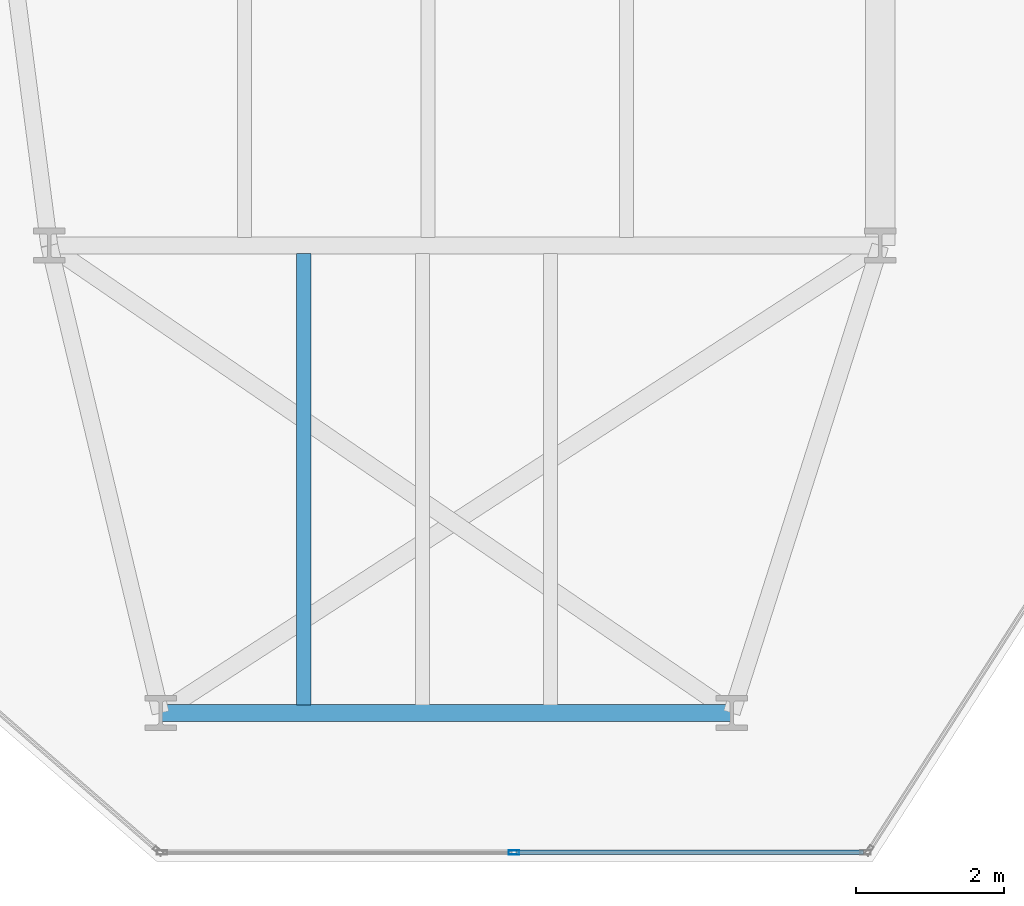
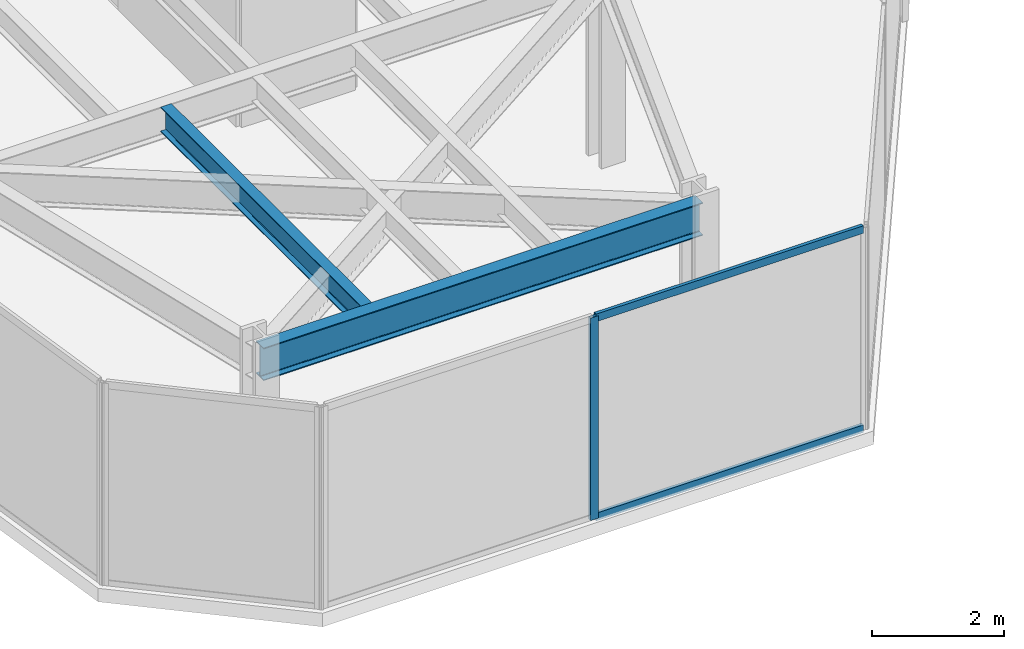
# One storey, part 3 of 26: 3 members, 2 beams, 1 element without a shape of its own.
"""IFC4 building model written with IfcOpenShell, lengths in metres."""

from ifc_helpers import new_model, si_unit, direction, frame, origin, origin_2d, place, context, subcontext, project, spatial, hollow_rectangle, i_section, extrude, material, layer, layer_set, material_profile, profile_set, type_object, element, aggregate, save


model = new_model("IFC4")

# Units and contexts
model_context = context("Model", 3, precision=1e-05, world=origin(), true_north=direction((0.0, 1.0)))
body_context = subcontext(model_context, "Body", "Model", "MODEL_VIEW")
ifc_project = project(units=[si_unit("LENGTHUNIT", "METRE"), si_unit("AREAUNIT", "SQUARE_METRE"), si_unit("VOLUMEUNIT", "CUBIC_METRE"), si_unit("PLANEANGLEUNIT", "RADIAN"), si_unit("MASSUNIT", "GRAM", prefix="KILO")], contexts=[model_context])

# Site, building, storey
site_placement = place(None, origin())
site = spatial("IfcSite", under=ifc_project, at=site_placement, CompositionType="ELEMENT")
building_placement = place(site_placement, origin())
building = spatial("IfcBuilding", under=site, at=building_placement, Name="Kravanh Interchange Tower", CompositionType="ELEMENT")
storey_placement = place(building_placement, frame((0.0, 0.0, 116.0)))
storey = spatial("IfcBuildingStorey", under=building, at=storey_placement, Name="L27", CompositionType="ELEMENT", Elevation=116.0)

# Curtain wall, members
ifc_material_1 = material(Name="Anodised Bronze Aluminium", Category="aluminium")
ifc_layer = layer(ifc_material_1, 0.179931640625)
ifc_layer_set = layer_set([ifc_layer], Name="Unitised Curtain Wall System CW-Z2 Mid Office")
curtain_wall_type = type_object("IfcCurtainWallType", Name="Unitised Curtain Wall System CW-Z2 Mid Office", PredefinedType="NOTDEFINED", material=ifc_layer_set)
curtain_wall_placement = place(storey_placement, origin())
curtain_wall = element("IfcCurtainWall", 1, at=curtain_wall_placement, inside=storey, type_object=curtain_wall_type, Name="L27 Unitised Curtain Wall CW-L27-06", PredefinedType="NOTDEFINED")
ifc_material_2 = material(Name="Anodised Bronze Aluminium", Category="aluminium")
ifc_material_profile_1 = material_profile(ifc_material_2, hollow_rectangle(XDim=0.06005859375, YDim=0.139892578125, WallThickness=0.00390625, at=origin_2d()), Name="ALU60X140X4")
ifc_profile_set_1 = profile_set([ifc_material_profile_1], Name="Anodised Bronze Aluminium")
member_type_1 = type_object("IfcMemberType", Name="Curtain Wall Mullion ALU60X140X4 Bronze", PredefinedType="MULLION", material=ifc_profile_set_1)
member_1_placement = place(storey_placement, frame((22.26220703125, 6.320068359375, 0.0), z_axis=(0.0, 0.0, 1.0), x_axis=(0.0, -1.0, 0.0)))
member_1 = element("IfcMember", 2, at=member_1_placement, type_object=member_type_1, Name="CW-Z2 mullion 2", PredefinedType="MULLION", context=body_context, shape_type="SweptSolid", body=[
    extrude(hollow_rectangle(XDim=0.06005859375, YDim=0.139892578125, WallThickness=0.00390625, at=origin_2d()), origin(), (0.0, 0.0, 1.0), 3.75),
])
ifc_material_3 = material(Name="Anodised Bronze Aluminium", Category="aluminium")
ifc_material_profile_2 = material_profile(ifc_material_3, hollow_rectangle(XDim=0.06005859375, YDim=0.139892578125, WallThickness=0.00390625, at=origin_2d()), Name="ALU60X140X4")
ifc_profile_set_2 = profile_set([ifc_material_profile_2], Name="Anodised Bronze Aluminium")
member_type_2 = type_object("IfcMemberType", Name="Curtain Wall Transom ALU60X140X4 Bronze", PredefinedType="USERDEFINED", material=ifc_profile_set_2)
member_2_placement = place(storey_placement, frame((26.974365234375, 6.320068359375, 0.030029296875), z_axis=(-1.0, 0.0, 0.0), x_axis=(0.0, -1.0, 0.0)))
member_2 = element("IfcMember", 3, at=member_2_placement, type_object=member_type_2, Name="CW-Z2 transom 1.1", ObjectType="TRANSOM", PredefinedType="USERDEFINED", context=body_context, shape_type="SweptSolid", body=[
    extrude(hollow_rectangle(XDim=0.06005859375, YDim=0.139892578125, WallThickness=0.00390625, at=origin_2d()), origin(), (0.0, 0.0, 1.0), 4.682373046875),
])
member_3_placement = place(storey_placement, frame((26.974365234375, 6.320068359375, 3.719970703125), z_axis=(-1.0, 0.0, 0.0), x_axis=(0.0, -1.0, 0.0)))
member_3 = element("IfcMember", 4, at=member_3_placement, type_object=member_type_2, Name="CW-Z2 transom 1.2", ObjectType="TRANSOM", PredefinedType="USERDEFINED", context=body_context, shape_type="SweptSolid", body=[
    extrude(hollow_rectangle(XDim=0.06005859375, YDim=0.139892578125, WallThickness=0.00390625, at=origin_2d()), origin(), (0.0, 0.0, 1.0), 4.682373046875),
])
aggregate(curtain_wall, [member_1, member_2, member_3])

# Beams
ifc_material_4 = material(Name="Structural Steel S355", Category="steel")
ifc_material_profile_3 = material_profile(ifc_material_4, i_section(OverallWidth=0.18994140625, OverallDepth=0.45703125, WebThickness=0.009033203125, FlangeThickness=0.014404296875, FilletRadius=0.01806640625, at=origin_2d()), Name="W18X50")
ifc_profile_set_3 = profile_set([ifc_material_profile_3], Name="Structural Steel S355")
beam_type_1 = type_object("IfcBeamType", Name="Floor Joist W18X50 Structural Steel S355", PredefinedType="JOIST", material=ifc_profile_set_3)
beam_1_placement = place(storey_placement, frame((19.429931640625, 8.30908203125, 3.521484375), z_axis=(0.0, 1.0, 0.0), x_axis=(-1.0, 0.0, 0.0)))
element("IfcBeam", 5, at=beam_1_placement, inside=storey, type_object=beam_type_1, Name="L27 Secondary Floor Joist 1", PredefinedType="JOIST", context=body_context, shape_type="SweptSolid", body=[
    extrude(i_section(OverallWidth=0.18994140625, OverallDepth=0.45703125, WebThickness=0.009033203125, FlangeThickness=0.014404296875, FilletRadius=0.01806640625, at=origin_2d()), origin(), (0.0, 0.0, 1.0), 6.08203125),
])
ifc_material_5 = material(Name="Structural Steel S355", Category="steel")
ifc_material_profile_4 = material_profile(ifc_material_5, i_section(OverallWidth=0.22802734375, OverallDepth=0.60791015625, WebThickness=0.01123046875, FlangeThickness=0.017333984375, FilletRadius=0.02197265625, at=origin_2d()), Name="W24X76")
ifc_profile_set_4 = profile_set([ifc_material_profile_4], Name="Structural Steel S355")
beam_type_2 = type_object("IfcBeamType", Name="Floor Spandrel W24X76 Structural Steel S355", PredefinedType="SPANDREL", material=ifc_profile_set_4)
beam_2_placement = place(storey_placement, frame((17.5, 8.199951171875, 3.446044921875), z_axis=(1.0, 0.0, 0.0), x_axis=(0.0, 1.0, 0.0)))
element("IfcBeam", 6, at=beam_2_placement, inside=storey, type_object=beam_type_2, Name="L27 Perimeter Spandrel 35", PredefinedType="SPANDREL", context=body_context, shape_type="SweptSolid", body=[
    extrude(i_section(OverallWidth=0.22802734375, OverallDepth=0.60791015625, WebThickness=0.01123046875, FlangeThickness=0.017333984375, FilletRadius=0.02197265625, at=origin_2d()), origin(), (0.0, 0.0, 1.0), 7.699951171875),
])

save(model, "model.ifc")
